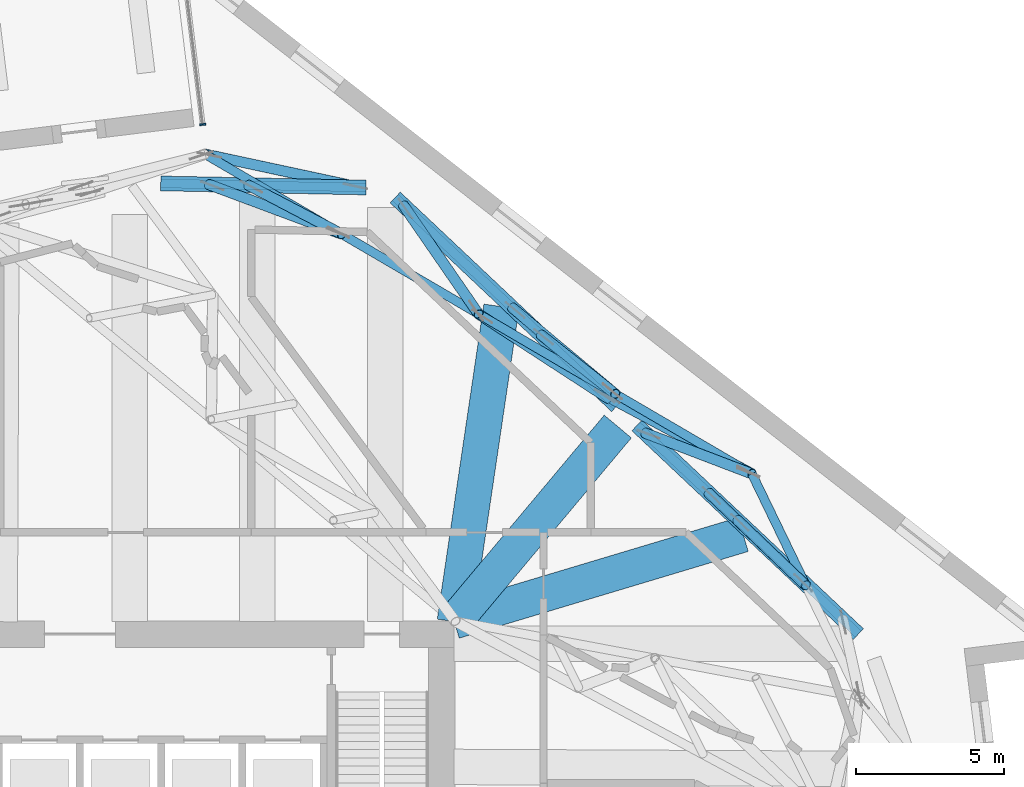
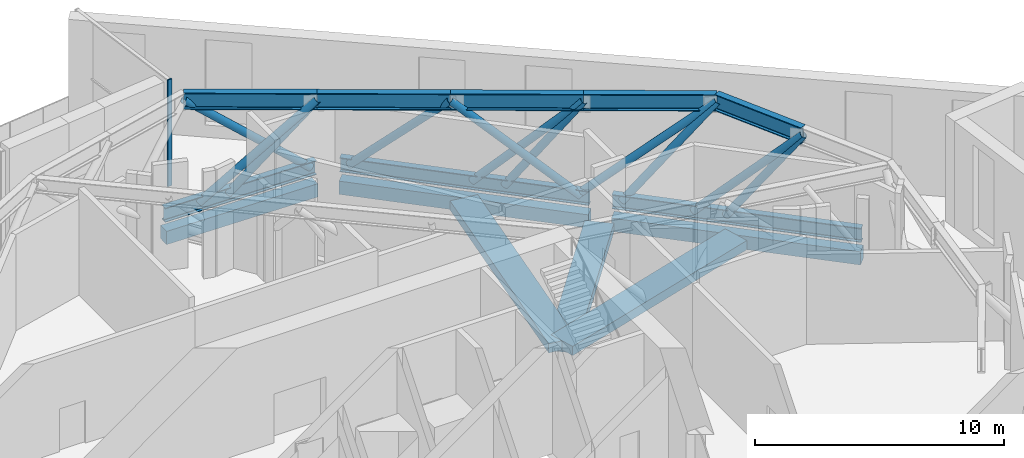
# One storey, part 8 of 23: 14 beams, 12 members, 1 element without a shape of its own.
"""IFC4 building model written with IfcOpenShell, lengths in metres."""

from ifc_helpers import new_model, si_unit, direction, frame, origin, origin_2d, place, context, subcontext, project, spatial, rectangle, hollow_circle, i_section, extrude, material, material_profile, profile_set, type_object, element, aggregate, save


model = new_model("IFC4")

# Units and contexts
model_context = context("Model", 3, precision=1e-05, world=origin(), true_north=direction((0.0, 1.0)))
body_context = subcontext(model_context, "Body", "Model", "MODEL_VIEW")
ifc_project = project(units=[si_unit("LENGTHUNIT", "METRE"), si_unit("AREAUNIT", "SQUARE_METRE"), si_unit("VOLUMEUNIT", "CUBIC_METRE"), si_unit("PLANEANGLEUNIT", "RADIAN"), si_unit("MASSUNIT", "GRAM", prefix="KILO")], contexts=[model_context])

# Site, building, storey
site_placement = place(None, origin())
site = spatial("IfcSite", under=ifc_project, at=site_placement, CompositionType="ELEMENT")
building_placement = place(site_placement, origin())
building = spatial("IfcBuilding", under=site, at=building_placement, Name="Dilmun Exchange Tower", CompositionType="ELEMENT")
storey_placement = place(building_placement, frame((0.0, 0.0, 237.300048828125)))
storey = spatial("IfcBuildingStorey", under=building, at=storey_placement, Name="L56", CompositionType="ELEMENT", Elevation=237.300048828125)

# Curtain wall, member
ifc_material_1 = material(Name="Anodised aluminium and clear glass", Category="aluminium")
curtain_wall_type = type_object("IfcCurtainWallType", Name="Garden corner glazing", PredefinedType="NOTDEFINED", material=ifc_material_1)
curtain_wall_placement = place(storey_placement, origin())
curtain_wall = element("IfcCurtainWall", 1, at=curtain_wall_placement, inside=storey, type_object=curtain_wall_type, Name="Garden corner glazing run GC1.1", PredefinedType="NOTDEFINED")
ifc_material_2 = material(Name="Anodised aluminium", Category="aluminium")
ifc_material_profile_1 = material_profile(ifc_material_2, rectangle(XDim=0.199951171875, YDim=0.06005859375, at=origin_2d()), Name="AL 60x200")
ifc_profile_set_1 = profile_set([ifc_material_profile_1], Name="Anodised aluminium")
member_type_1 = type_object("IfcMemberType", Name="Garden corner glazing mullion 60 x 200", PredefinedType="MULLION", material=ifc_profile_set_1)
member_1_placement = place(storey_placement, frame((4.158935546875, 29.51220703125, 0.0), z_axis=(0.0, 0.0, 1.0), x_axis=(0.992547158556, 0.12186114246, 0.0)))
member_1 = element("IfcMember", 2, at=member_1_placement, type_object=member_type_1, Name="GC1.1 mullion 2", PredefinedType="MULLION", context=body_context, shape_type="SweptSolid", body=[
    extrude(rectangle(XDim=0.199951171875, YDim=0.06005859375, at=origin_2d()), origin(), (0.0, 0.0, 1.0), 5.239990234375),
])
aggregate(curtain_wall, [member_1])

# Beams
ifc_material_3 = material(Name="Concrete C40/50", Category="concrete")
ifc_material_profile_2 = material_profile(ifc_material_3, rectangle(XDim=1.199951171875, YDim=0.449951171875, at=origin_2d()), Name="1200 x 450")
ifc_profile_set_2 = profile_set([ifc_material_profile_2], Name="Concrete C40/50")
beam_type_1 = type_object("IfcBeamType", Name="RC band beam 1200 x 450 C40/50", PredefinedType="BEAM", material=ifc_profile_set_2)
beam_1_placement = place(storey_placement, frame((18.2158203125, 19.28369140625, -0.705078125), z_axis=(-0.642200063897, -0.766537068856, 0.0), x_axis=(0.766537068856, -0.642200063897, 0.0)))
element("IfcBeam", 3, at=beam_1_placement, inside=storey, type_object=beam_type_1, Name="Band beam 15", PredefinedType="BEAM", context=body_context, shape_type="SweptSolid", body=[
    extrude(rectangle(XDim=1.199951171875, YDim=0.449951171875, at=origin_2d()), origin(), (0.0, 0.0, 1.0), 8.615966796875),
])
beam_2_placement = place(storey_placement, frame((22.4599609375, 15.626708984375, -0.60498046875), z_axis=(-0.957849959988, -0.287268957862, 0.0), x_axis=(0.287268957862, -0.957849959988, 0.0)))
element("IfcBeam", 4, at=beam_2_placement, inside=storey, type_object=beam_type_1, Name="Band beam 30", PredefinedType="BEAM", context=body_context, shape_type="SweptSolid", body=[
    extrude(rectangle(XDim=1.199951171875, YDim=0.449951171875, at=origin_2d()), origin(), (0.0, 0.0, 1.0), 10.21630859375),
])
beam_3_placement = place(storey_placement, frame((14.2734375, 23.34326171875, -0.60498046875), z_axis=(-0.146268101323, -0.989244986106, 0.0), x_axis=(0.989244986106, -0.146268101323, 0.0)))
element("IfcBeam", 5, at=beam_3_placement, inside=storey, type_object=beam_type_1, Name="Band beam 31", PredefinedType="BEAM", context=body_context, shape_type="SweptSolid", body=[
    extrude(rectangle(XDim=1.199951171875, YDim=0.449951171875, at=origin_2d()), origin(), (0.0, 0.0, 1.0), 10.785888671875),
])
ifc_material_profile_3 = material_profile(ifc_material_3, rectangle(XDim=0.5, YDim=0.64990234375, at=origin_2d()), Name="500 x 650")
ifc_profile_set_3 = profile_set([ifc_material_profile_3], Name="Concrete C40/50")
beam_type_2 = type_object("IfcBeamType", Name="RC ring beam 500 x 650 C40/50", PredefinedType="SPANDREL", material=ifc_profile_set_3)
beam_4_placement = place(storey_placement, frame((26.36181640625, 12.25537109375, -0.705078125), z_axis=(-0.727685706374, 0.68591071776, 0.0), x_axis=(-0.68591071776, -0.727685706374, 0.0)))
element("IfcBeam", 6, at=beam_4_placement, inside=storey, type_object=beam_type_2, Name="Ring beam 14", PredefinedType="SPANDREL", context=body_context, shape_type="SweptSolid", body=[
    extrude(rectangle(XDim=0.5, YDim=0.64990234375, at=origin_2d()), origin(), (0.0, 0.0, 1.0), 10.30322265625),
])
beam_5_placement = place(storey_placement, frame((18.17578125, 19.971435546875, -0.705078125), z_axis=(-0.727682990869, 0.685913598641, 0.0), x_axis=(-0.685913598641, -0.727682990869, 0.0)))
element("IfcBeam", 7, at=beam_5_placement, inside=storey, type_object=beam_type_2, Name="Ring beam 15", PredefinedType="SPANDREL", context=body_context, shape_type="SweptSolid", body=[
    extrude(rectangle(XDim=0.5, YDim=0.64990234375, at=origin_2d()), origin(), (0.0, 0.0, 1.0), 10.3046875),
])
beam_6_placement = place(storey_placement, frame((9.685791015625, 27.376953125, -0.705078125), z_axis=(-0.999797424966, 0.020127320539, 0.0), x_axis=(-0.020127320539, -0.999797424966, 0.0)))
element("IfcBeam", 8, at=beam_6_placement, inside=storey, type_object=beam_type_2, Name="Ring beam 16", PredefinedType="SPANDREL", context=body_context, shape_type="SweptSolid", body=[
    extrude(rectangle(XDim=0.5, YDim=0.64990234375, at=origin_2d()), origin(), (0.0, 0.0, 1.0), 6.950439453125),
])
ifc_material_4 = material(Name="Steel S355", Category="steel")
ifc_material_profile_4 = material_profile(ifc_material_4, i_section(OverallWidth=0.300048828125, OverallDepth=0.699951171875, WebThickness=0.01708984375, FlangeThickness=0.031982421875, FilletRadius=0.027099609375, at=origin_2d()), Name="HEB 700")
ifc_profile_set_4 = profile_set([ifc_material_profile_4], Name="Steel S355")
beam_type_3 = type_object("IfcBeamType", Name="belt bottom chord HEB 700", PredefinedType="BEAM", material=ifc_profile_set_4)
beam_7_placement = place(storey_placement, frame((26.36181640625, 12.25537109375, 0.349853515625), z_axis=(-0.727685706374, 0.68591071776, 0.0), x_axis=(-0.68591071776, -0.727685706374, 0.0)))
element("IfcBeam", 9, at=beam_7_placement, inside=storey, type_object=beam_type_3, Name="Belt bottom chord 14", PredefinedType="BEAM", context=body_context, shape_type="SweptSolid", body=[
    extrude(i_section(OverallWidth=0.300048828125, OverallDepth=0.699951171875, WebThickness=0.01708984375, FlangeThickness=0.031982421875, FilletRadius=0.027099609375, at=origin_2d()), origin(), (0.0, 0.0, 1.0), 10.30322265625),
])
beam_8_placement = place(storey_placement, frame((18.17578125, 19.971435546875, 0.349853515625), z_axis=(-0.727682990869, 0.685913598641, 0.0), x_axis=(-0.685913598641, -0.727682990869, 0.0)))
element("IfcBeam", 10, at=beam_8_placement, inside=storey, type_object=beam_type_3, Name="Belt bottom chord 15", PredefinedType="BEAM", context=body_context, shape_type="SweptSolid", body=[
    extrude(i_section(OverallWidth=0.300048828125, OverallDepth=0.699951171875, WebThickness=0.01708984375, FlangeThickness=0.031982421875, FilletRadius=0.027099609375, at=origin_2d()), origin(), (0.0, 0.0, 1.0), 10.3046875),
])
beam_9_placement = place(storey_placement, frame((9.685791015625, 27.376953125, 0.349853515625), z_axis=(-0.999797424966, 0.020127320539, 0.0), x_axis=(-0.020127320539, -0.999797424966, 0.0)))
element("IfcBeam", 11, at=beam_9_placement, inside=storey, type_object=beam_type_3, Name="Belt bottom chord 16", PredefinedType="BEAM", context=body_context, shape_type="SweptSolid", body=[
    extrude(i_section(OverallWidth=0.300048828125, OverallDepth=0.699951171875, WebThickness=0.01708984375, FlangeThickness=0.031982421875, FilletRadius=0.027099609375, at=origin_2d()), origin(), (0.0, 0.0, 1.0), 6.950439453125),
])
ifc_material_profile_5 = material_profile(ifc_material_4, i_section(OverallWidth=0.302978515625, OverallDepth=0.81396484375, WebThickness=0.02099609375, FlangeThickness=0.0400390625, FilletRadius=0.030029296875, at=origin_2d()), Name="HEM 800")
ifc_profile_set_5 = profile_set([ifc_material_profile_5], Name="Steel S355")
beam_type_4 = type_object("IfcBeamType", Name="transfer chord HEM 800", PredefinedType="BEAM", material=ifc_profile_set_5)
beam_10_placement = place(storey_placement, frame((24.58642578125, 13.902099609375, 4.8330078125), z_axis=(-0.435453017178, 0.900211458398, 0.0), x_axis=(-0.900211458398, -0.435453017178, 0.0)))
element("IfcBeam", 12, at=beam_10_placement, inside=storey, type_object=beam_type_4, Name="Transfer chord 26", PredefinedType="BEAM", context=body_context, shape_type="SweptSolid", body=[
    extrude(i_section(OverallWidth=0.302978515625, OverallDepth=0.81396484375, WebThickness=0.02099609375, FlangeThickness=0.0400390625, FilletRadius=0.030029296875, at=origin_2d()), origin(), (0.0, 0.0, 1.0), 4.19873046875),
])
beam_11_placement = place(storey_placement, frame((22.758056640625, 17.681884765625, 4.8330078125), z_axis=(-0.863337684908, 0.504626636056, 0.0), x_axis=(-0.504626636056, -0.863337684908, 0.0)))
element("IfcBeam", 13, at=beam_11_placement, inside=storey, type_object=beam_type_4, Name="Transfer chord 27", PredefinedType="BEAM", context=body_context, shape_type="SweptSolid", body=[
    extrude(i_section(OverallWidth=0.302978515625, OverallDepth=0.81396484375, WebThickness=0.02099609375, FlangeThickness=0.0400390625, FilletRadius=0.030029296875, at=origin_2d()), origin(), (0.0, 0.0, 1.0), 5.362548828125),
])
beam_12_placement = place(storey_placement, frame((18.12841796875, 20.387939453125, 4.8330078125), z_axis=(-0.86332609074, 0.504646471351, 0.0), x_axis=(-0.504646471351, -0.86332609074, 0.0)))
element("IfcBeam", 14, at=beam_12_placement, inside=storey, type_object=beam_type_4, Name="Transfer chord 28", PredefinedType="BEAM", context=body_context, shape_type="SweptSolid", body=[
    extrude(i_section(OverallWidth=0.302978515625, OverallDepth=0.81396484375, WebThickness=0.02099609375, FlangeThickness=0.0400390625, FilletRadius=0.030029296875, at=origin_2d()), origin(), (0.0, 0.0, 1.0), 5.3623046875),
])
beam_13_placement = place(storey_placement, frame((13.4990234375, 23.093994140625, 4.8330078125), z_axis=(-0.863337684908, 0.504626636056, 0.0), x_axis=(-0.504626636056, -0.863337684908, 0.0)))
element("IfcBeam", 15, at=beam_13_placement, inside=storey, type_object=beam_type_4, Name="Transfer chord 29", PredefinedType="BEAM", context=body_context, shape_type="SweptSolid", body=[
    extrude(i_section(OverallWidth=0.302978515625, OverallDepth=0.81396484375, WebThickness=0.02099609375, FlangeThickness=0.0400390625, FilletRadius=0.030029296875, at=origin_2d()), origin(), (0.0, 0.0, 1.0), 5.362548828125),
])
beam_14_placement = place(storey_placement, frame((8.869384765625, 25.800048828125, 4.8330078125), z_axis=(-0.86332609074, 0.504646471351, 0.0), x_axis=(-0.504646471351, -0.86332609074, 0.0)))
element("IfcBeam", 16, at=beam_14_placement, inside=storey, type_object=beam_type_4, Name="Transfer chord 30", PredefinedType="BEAM", context=body_context, shape_type="SweptSolid", body=[
    extrude(i_section(OverallWidth=0.302978515625, OverallDepth=0.81396484375, WebThickness=0.02099609375, FlangeThickness=0.0400390625, FilletRadius=0.030029296875, at=origin_2d()), origin(), (0.0, 0.0, 1.0), 5.3623046875),
])

# Members
ifc_material_profile_6 = material_profile(ifc_material_4, hollow_circle(Radius=0.177734375, WallThickness=0.02001953125, at=origin_2d()), Name="CHS 355.6x20")
ifc_profile_set_6 = profile_set([ifc_material_profile_6], Name="Steel S355")
member_type_2 = type_object("IfcMemberType", Name="truss diagonal CHS 355.6x20", PredefinedType="BRACE", material=ifc_profile_set_6)
member_2_placement = place(storey_placement, frame((24.58642578125, 13.902099609375, 4.8330078125), z_axis=(-0.420329325887, 0.401048164149, -0.8139309724), x_axis=(-0.690317861289, -0.723506220005, 0.0)))
element("IfcMember", 17, at=member_2_placement, inside=storey, type_object=member_type_2, Name="Truss diagonal 51", PredefinedType="BRACE", context=body_context, shape_type="SweptSolid", body=[
    extrude(hollow_circle(Radius=0.177734375, WallThickness=0.02001953125, at=origin_2d()), origin(), (0.0, 0.0, 1.0), 5.508056640625),
])
member_3_placement = place(storey_placement, frame((24.58642578125, 13.902099609375, 4.8330078125), z_axis=(-0.516253043965, 0.490797759499, -0.701854937909), x_axis=(-0.68901311967, -0.724748867486, 0.0)))
element("IfcMember", 18, at=member_3_placement, inside=storey, type_object=member_type_2, Name="Truss diagonal 52", PredefinedType="BRACE", context=body_context, shape_type="SweptSolid", body=[
    extrude(hollow_circle(Radius=0.177734375, WallThickness=0.02001953125, at=origin_2d()), origin(), (0.0, 0.0, 1.0), 6.3876953125),
])
member_4_placement = place(storey_placement, frame((22.758056640625, 17.681884765625, 4.8330078125), z_axis=(-0.610865147829, 0.233246162273, -0.756597646674), x_axis=(-0.356710564723, -0.934214950113, 0.0)))
element("IfcMember", 19, at=member_4_placement, inside=storey, type_object=member_type_2, Name="Truss diagonal 53", PredefinedType="BRACE", context=body_context, shape_type="SweptSolid", body=[
    extrude(hollow_circle(Radius=0.177734375, WallThickness=0.02001953125, at=origin_2d()), origin(), (0.0, 0.0, 1.0), 5.92529296875),
])
member_5_placement = place(storey_placement, frame((22.758056640625, 17.681884765625, 4.8330078125), z_axis=(-0.690571322137, 0.369428906762, -0.621798626478), x_axis=(-0.471705412743, -0.881756204168, 0.0)))
element("IfcMember", 20, at=member_5_placement, inside=storey, type_object=member_type_2, Name="Truss diagonal 54", PredefinedType="BRACE", context=body_context, shape_type="SweptSolid", body=[
    extrude(hollow_circle(Radius=0.177734375, WallThickness=0.02001953125, at=origin_2d()), origin(), (0.0, 0.0, 1.0), 7.2099609375),
])
member_6_placement = place(storey_placement, frame((18.12841796875, 20.387939453125, 4.8330078125), z_axis=(-0.455901910488, 0.362313190467, -0.812946861749), x_axis=(-0.622170060352, -0.782882121396, 0.0)))
element("IfcMember", 21, at=member_6_placement, inside=storey, type_object=member_type_2, Name="Truss diagonal 55", PredefinedType="BRACE", context=body_context, shape_type="SweptSolid", body=[
    extrude(hollow_circle(Radius=0.177734375, WallThickness=0.02001953125, at=origin_2d()), origin(), (0.0, 0.0, 1.0), 5.5146484375),
])
member_7_placement = place(storey_placement, frame((18.12841796875, 20.387939453125, 4.8330078125), z_axis=(-0.546908996188, 0.457361335522, -0.701221190965), x_axis=(-0.641511076746, -0.767113771492, 0.0)))
element("IfcMember", 22, at=member_7_placement, inside=storey, type_object=member_type_2, Name="Truss diagonal 56", PredefinedType="BRACE", context=body_context, shape_type="SweptSolid", body=[
    extrude(hollow_circle(Radius=0.177734375, WallThickness=0.02001953125, at=origin_2d()), origin(), (0.0, 0.0, 1.0), 6.393310546875),
])
member_8_placement = place(storey_placement, frame((13.4990234375, 23.093994140625, 4.8330078125), z_axis=(-0.401893661607, 0.581638531633, -0.707232708011), x_axis=(-0.822707639814, -0.568464721326, 0.0)))
element("IfcMember", 23, at=member_8_placement, inside=storey, type_object=member_type_2, Name="Truss diagonal 57", PredefinedType="BRACE", context=body_context, shape_type="SweptSolid", body=[
    extrude(hollow_circle(Radius=0.177734375, WallThickness=0.02001953125, at=origin_2d()), origin(), (0.0, 0.0, 1.0), 6.339111328125),
])
member_9_placement = place(storey_placement, frame((13.4990234375, 23.093994140625, 4.8330078125), z_axis=(0.637560749617, -0.414752129638, -0.649227973449), x_axis=(0.545300382733, 0.838240712797, 0.0)))
element("IfcMember", 24, at=member_9_placement, inside=storey, type_object=member_type_2, Name="Truss diagonal 58", PredefinedType="BRACE", context=body_context, shape_type="SweptSolid", body=[
    extrude(hollow_circle(Radius=0.177734375, WallThickness=0.02001953125, at=origin_2d()), origin(), (0.0, 0.0, 1.0), 6.9052734375),
])
member_10_placement = place(storey_placement, frame((8.869384765625, 25.800048828125, 4.8330078125), z_axis=(-0.552380014678, 0.289027637372, -0.78188192473), x_axis=(-0.463611375146, -0.886038651999, 0.0)))
element("IfcMember", 25, at=member_10_placement, inside=storey, type_object=member_type_2, Name="Truss diagonal 59", PredefinedType="BRACE", context=body_context, shape_type="SweptSolid", body=[
    extrude(hollow_circle(Radius=0.177734375, WallThickness=0.02001953125, at=origin_2d()), origin(), (0.0, 0.0, 1.0), 5.73388671875),
])
member_11_placement = place(storey_placement, frame((8.869384765625, 25.800048828125, 4.8330078125), z_axis=(-0.686124956992, 0.255855147197, -0.681007112331), x_axis=(-0.349396767624, -0.936974865604, 0.0)))
element("IfcMember", 26, at=member_11_placement, inside=storey, type_object=member_type_2, Name="Truss diagonal 60", PredefinedType="BRACE", context=body_context, shape_type="SweptSolid", body=[
    extrude(hollow_circle(Radius=0.177734375, WallThickness=0.02001953125, at=origin_2d()), origin(), (0.0, 0.0, 1.0), 6.5830078125),
])
member_12_placement = place(storey_placement, frame((4.239990234375, 28.506103515625, 4.8330078125), z_axis=(0.750133639071, -0.160952496221, -0.641399888911), x_axis=(0.209790253066, 0.97774641381, 0.0)))
element("IfcMember", 27, at=member_12_placement, inside=storey, type_object=member_type_2, Name="Truss diagonal 62", PredefinedType="BRACE", context=body_context, shape_type="SweptSolid", body=[
    extrude(hollow_circle(Radius=0.177734375, WallThickness=0.02001953125, at=origin_2d()), origin(), (0.0, 0.0, 1.0), 6.98974609375),
])

save(model, "model.ifc")
